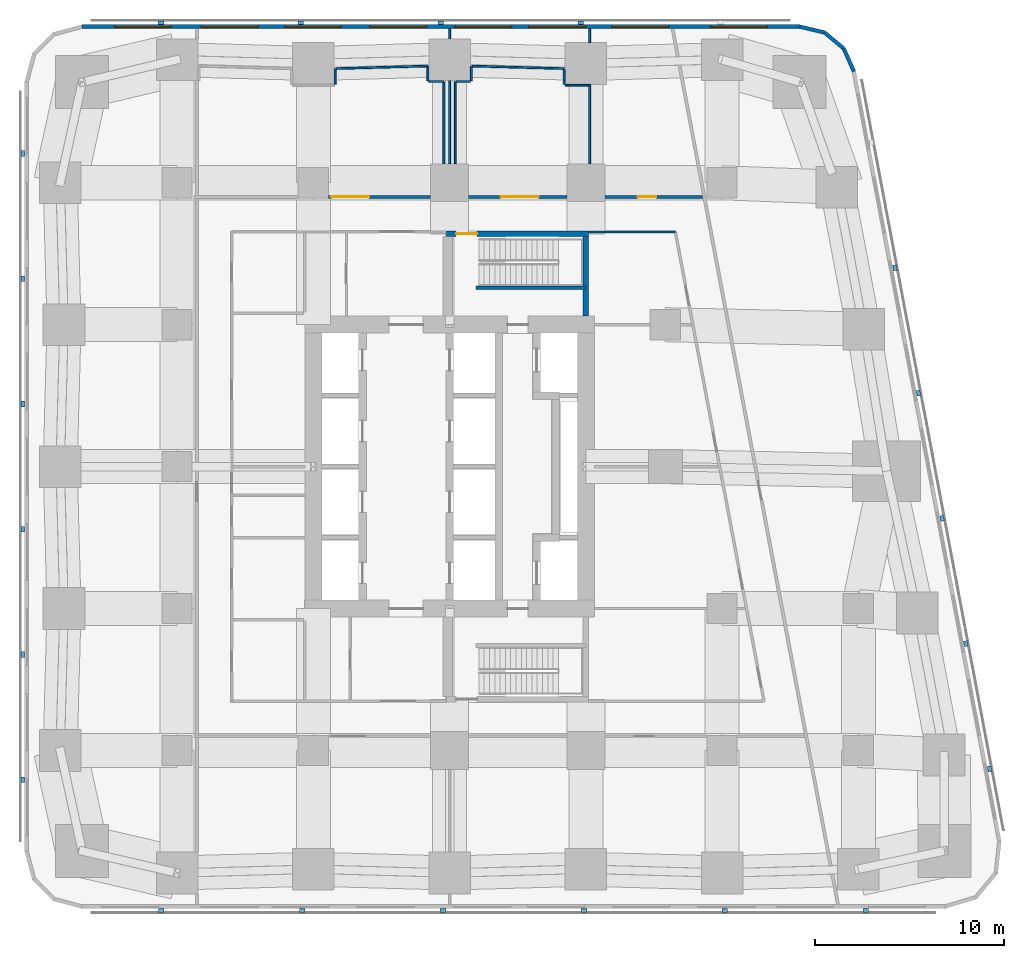
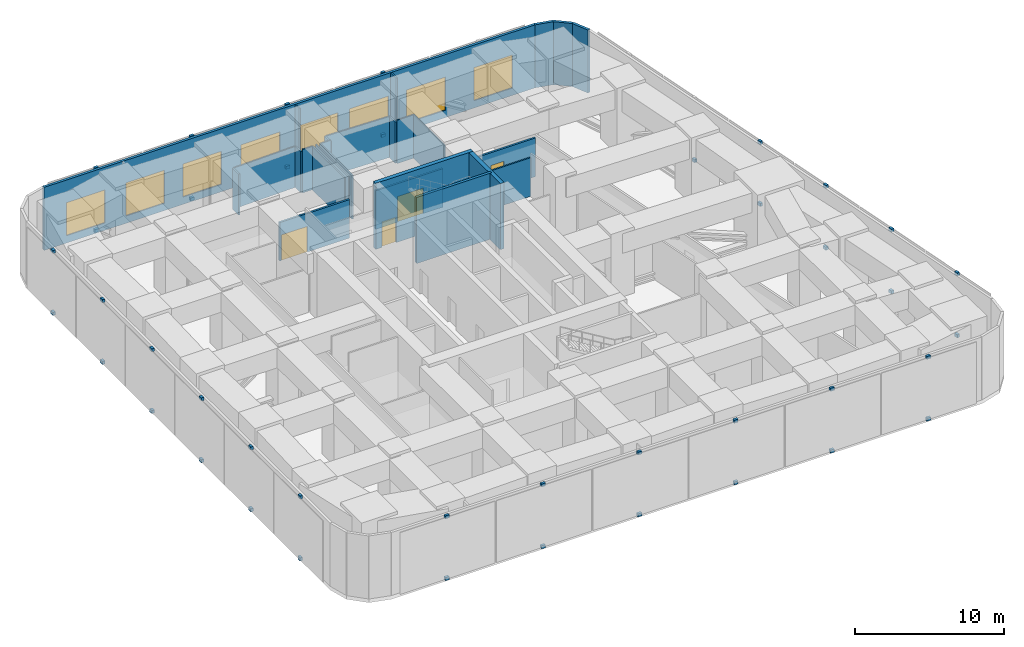
# One storey, part 7 of 10: 41 discrete accessories, 26 walls, 8 windows, 4 doors, 12 openings.
"""IFC4 building model written with IfcOpenShell, lengths in metres."""

from ifc_helpers import new_model, si_unit, direction, frame, frame_2d, origin, origin_2d, place, context, subcontext, project, spatial, rectangle, extrude, material, layer, layer_set, type_object, element, fill, save


model = new_model("IFC4")

# Units and contexts
model_context = context("Model", 3, precision=1e-05, world=origin(), true_north=direction((0.0, 1.0)))
body_context = subcontext(model_context, "Body", "Model", "MODEL_VIEW")
ifc_project = project(units=[si_unit("LENGTHUNIT", "METRE"), si_unit("AREAUNIT", "SQUARE_METRE"), si_unit("VOLUMEUNIT", "CUBIC_METRE"), si_unit("PLANEANGLEUNIT", "RADIAN"), si_unit("MASSUNIT", "GRAM", prefix="KILO")], contexts=[model_context])

# Site, building, storey
site_placement = place(None, origin())
site = spatial("IfcSite", under=ifc_project, at=site_placement, CompositionType="ELEMENT")
building_placement = place(site_placement, origin())
building = spatial("IfcBuilding", under=site, at=building_placement, Name="Sheger Commons Tower", CompositionType="ELEMENT")
storey_placement = place(building_placement, frame((0.0, 0.0, 130.39990234375)))
storey = spatial("IfcBuildingStorey", under=building, at=storey_placement, Name="L33", CompositionType="ELEMENT", Elevation=130.39990234375)

# Wall, opening, door
ifc_material_1 = material(Name="Hollow concrete block masonry, skimmed both sides", Category="masonry")
ifc_layer_1 = layer(ifc_material_1, 0.14990234375)
ifc_layer_set_1 = layer_set([ifc_layer_1], Name="CORRIDOR WALL 150")
wall_type_1 = type_object("IfcWallType", Name="CORRIDOR WALL 150", PredefinedType="SOLIDWALL", material=ifc_layer_set_1)
wall_1_placement = place(storey_placement, frame((15.200927734375, 36.75, 0.0), z_axis=(0.0, 0.0, 1.0), x_axis=(1.0, 0.0, 0.0)))
wall_1 = element("IfcWall", 1, at=wall_1_placement, inside=storey, type_object=wall_type_1, Name="Corridor wall L33", PredefinedType="SOLIDWALL", context=body_context, shape_type="SweptSolid", body=[
    extrude(rectangle(XDim=5.398193359375, YDim=0.14990234375, at=frame_2d((2.69921875, 0.0))), origin(), (0.0, 0.0, 1.0), 3.150146484375),
])
opening_1_placement = place(wall_1_placement, frame((0.14990234375, 0.0, 0.0)))
opening_1 = element("IfcOpeningElement", 2, at=opening_1_placement, cuts=wall_1, Name="Opening D8", PredefinedType="OPENING", context=body_context, shape_type="SweptSolid", body=[
    extrude(rectangle(XDim=2.0, YDim=2.10009765625, at=frame_2d((1.0, 1.050048828125))), frame((0.0, 0.0849609375, 0.0), z_axis=(0.0, -1.0, 0.0), x_axis=(1.0, 0.0, 0.0)), (0.0, 0.0, 1.0), 0.169921875),
])
ifc_material_2 = material(Name="Steel door set, fire rated", Category="steel")
door_type_1 = type_object("IfcDoorType", Name="COMMUNITY HALL DOUBLE DOOR 2000x2100", OperationType="DOUBLE_DOOR_SINGLE_SWING", PredefinedType="DOOR", material=ifc_material_2)
door_1_placement = place(opening_1_placement, origin())
door_1 = element("IfcDoor", 3, at=door_1_placement, inside=storey, type_object=door_type_1, Name="Community hall door", OperationType="DOUBLE_DOOR_SINGLE_SWING", OverallHeight=2.10009765625, OverallWidth=2.0, PredefinedType="DOOR", context=body_context, shape_type="SweptSolid", body=[
    extrude(rectangle(XDim=2.0, YDim=2.10009765625, at=frame_2d((1.0, 1.050048828125))), frame((0.0, 0.02490234375, 0.0), z_axis=(0.0, -1.0, 0.0), x_axis=(1.0, 0.0, 0.0)), (0.0, 0.0, 1.0), 0.050048828125),
])
fill(opening_1, door_1)

wall_2_placement = place(storey_placement, frame((22.60107421875, 36.75, 0.0), z_axis=(0.0, 0.0, 1.0), x_axis=(1.0, 0.0, 0.0)))
wall_2 = element("IfcWall", 4, at=wall_2_placement, inside=storey, type_object=wall_type_1, Name="Corridor wall L33", PredefinedType="SOLIDWALL", context=body_context, shape_type="SweptSolid", body=[
    extrude(rectangle(XDim=5.197998046875, YDim=0.14990234375, at=frame_2d((2.59912109375, 0.0))), origin(), (0.0, 0.0, 1.0), 3.150146484375),
])
opening_2_placement = place(wall_2_placement, frame((1.698974609375, 0.0, 0.0)))
opening_2 = element("IfcOpeningElement", 5, at=opening_2_placement, cuts=wall_2, Name="Opening D8", PredefinedType="OPENING", context=body_context, shape_type="SweptSolid", body=[
    extrude(rectangle(XDim=2.0, YDim=2.10009765625, at=frame_2d((1.0, 1.050048828125))), frame((0.0, 0.0849609375, 0.0), z_axis=(0.0, -1.0, 0.0), x_axis=(1.0, 0.0, 0.0)), (0.0, 0.0, 1.0), 0.169921875),
])
door_2_placement = place(opening_2_placement, origin())
door_2 = element("IfcDoor", 6, at=door_2_placement, inside=storey, type_object=door_type_1, Name="Library and study room door", OperationType="DOUBLE_DOOR_SINGLE_SWING", OverallHeight=2.10009765625, OverallWidth=2.0, PredefinedType="DOOR", context=body_context, shape_type="SweptSolid", body=[
    extrude(rectangle(XDim=2.0, YDim=2.10009765625, at=frame_2d((1.0, 1.050048828125))), frame((0.0, 0.02490234375, 0.0), z_axis=(0.0, -1.0, 0.0), x_axis=(1.0, 0.0, 0.0)), (0.0, 0.0, 1.0), 0.050048828125),
])
fill(opening_2, door_2)

wall_3_placement = place(storey_placement, frame((29.801025390625, 36.75, 0.0), z_axis=(0.0, 0.0, 1.0), x_axis=(1.0, 0.0, 0.0)))
wall_3 = element("IfcWall", 7, at=wall_3_placement, inside=storey, type_object=wall_type_1, Name="Corridor wall L33", PredefinedType="SOLIDWALL", context=body_context, shape_type="SweptSolid", body=[
    extrude(rectangle(XDim=5.171875, YDim=0.14990234375, at=frame_2d((2.5859375, 0.0))), origin(), (0.0, 0.0, 1.0), 3.150146484375),
])
opening_3_placement = place(wall_3_placement, frame((1.72998046875, 0.0, 0.0)))
opening_3 = element("IfcOpeningElement", 8, at=opening_3_placement, cuts=wall_3, Name="Opening D4", PredefinedType="OPENING", context=body_context, shape_type="SweptSolid", body=[
    extrude(rectangle(XDim=1.0, YDim=2.10009765625, at=frame_2d((0.5, 1.050048828125))), frame((0.0, 0.0849609375, 0.0), z_axis=(0.0, -1.0, 0.0), x_axis=(1.0, 0.0, 0.0)), (0.0, 0.0, 1.0), 0.169921875),
])
ifc_material_3 = material(Name="Steel door set, fire rated", Category="steel")
door_type_2 = type_object("IfcDoorType", Name="SERVICE DOOR 1000x2100", OperationType="NOTDEFINED", PredefinedType="DOOR", material=ifc_material_3)
door_3_placement = place(opening_3_placement, origin())
door_3 = element("IfcDoor", 9, at=door_3_placement, inside=storey, type_object=door_type_2, Name="Refuge area door", OperationType="SINGLE_SWING_LEFT", OverallHeight=2.10009765625, OverallWidth=1.0, PredefinedType="DOOR", context=body_context, shape_type="SweptSolid", body=[
    extrude(rectangle(XDim=1.0, YDim=2.10009765625, at=frame_2d((0.5, 1.050048828125))), frame((0.0, 0.02490234375, 0.0), z_axis=(0.0, -1.0, 0.0), x_axis=(1.0, 0.0, 0.0)), (0.0, 0.0, 1.0), 0.050048828125),
])
fill(opening_3, door_3)

# Walls
ifc_material_4 = material(Name="Rendered concrete block masonry, dark grey", Category="masonry")
ifc_layer_2 = layer(ifc_material_4, 0.199951171875)
ifc_layer_set_2 = layer_set([ifc_layer_2], Name="FACADE WALL 200")
wall_type_2 = type_object("IfcWallType", Name="FACADE WALL 200", PredefinedType="SOLIDWALL", material=ifc_layer_set_2)
wall_4_placement = place(storey_placement, frame((42.969970703125, 43.376953125, 0.0), z_axis=(0.0, 0.0, 1.0), x_axis=(-0.406002956633, 0.913871762998, 0.0)))
element("IfcWall", 10, at=wall_4_placement, inside=storey, type_object=wall_type_2, Name="Facade wall L33", PredefinedType="SOLIDWALL", context=body_context, shape_type="SweptSolid", body=[
    extrude(rectangle(XDim=1.33740234375, YDim=0.199951171875, at=frame_2d((0.668701171875, 0.0))), origin(), (0.0, 0.0, 1.0), 5.150146484375),
])
wall_5_placement = place(storey_placement, frame((42.427001953125, 44.59912109375, 0.0), z_axis=(0.0, 0.0, 1.0), x_axis=(-0.770091412544, 0.637933551655, 0.0)))
element("IfcWall", 11, at=wall_5_placement, inside=storey, type_object=wall_type_2, Name="Facade wall L33", PredefinedType="SOLIDWALL", context=body_context, shape_type="SweptSolid", body=[
    extrude(rectangle(XDim=1.324462890625, YDim=0.199951171875, at=frame_2d((0.662109375, 0.0))), origin(), (0.0, 0.0, 1.0), 5.150146484375),
])
wall_6_placement = place(storey_placement, frame((41.406982421875, 45.444091796875, 0.0), z_axis=(0.0, 0.0, 1.0), x_axis=(-0.973453091607, 0.228886606077, 0.0)))
element("IfcWall", 12, at=wall_6_placement, inside=storey, type_object=wall_type_2, Name="Facade wall L33", PredefinedType="SOLIDWALL", context=body_context, shape_type="SweptSolid", body=[
    extrude(rectangle(XDim=1.33642578125, YDim=0.199951171875, at=frame_2d((0.668212890625, 0.0))), origin(), (0.0, 0.0, 1.0), 5.150146484375),
])

# Wall, openings, windows
wall_7_placement = place(storey_placement, frame((40.10595703125, 45.75, 0.0), z_axis=(0.0, 0.0, 1.0), x_axis=(-1.0, 0.0, 0.0)))
wall_7 = element("IfcWall", 13, at=wall_7_placement, inside=storey, type_object=wall_type_2, Name="Facade wall L33", PredefinedType="SOLIDWALL", context=body_context, shape_type="SweptSolid", body=[
    extrude(rectangle(XDim=37.94287109375, YDim=0.199951171875, at=frame_2d((18.971435546875, 0.0))), origin(), (0.0, 0.0, 1.0), 5.150146484375),
])
opening_4_placement = place(wall_7_placement, frame((1.721923828125, 0.0, 0.60009765625)))
opening_4 = element("IfcOpeningElement", 14, at=opening_4_placement, cuts=wall_7, Name="Opening LV2", PredefinedType="OPENING", context=body_context, shape_type="SweptSolid", body=[
    extrude(rectangle(XDim=3.0, YDim=2.699951171875, at=frame_2d((1.5, 1.35009765625))), frame((0.0, 0.10986328125, 0.0), z_axis=(0.0, -1.0, 0.0), x_axis=(1.0, 0.0, 0.0)), (0.0, 0.0, 1.0), 0.219970703125),
])
opening_5_placement = place(wall_7_placement, frame((6.922119140625, 0.0, 0.60009765625)))
opening_5 = element("IfcOpeningElement", 15, at=opening_5_placement, cuts=wall_7, Name="Opening LV2", PredefinedType="OPENING", context=body_context, shape_type="SweptSolid", body=[
    extrude(rectangle(XDim=3.0, YDim=2.699951171875, at=frame_2d((1.5, 1.35009765625))), frame((0.0, 0.10986328125, 0.0), z_axis=(0.0, -1.0, 0.0), x_axis=(1.0, 0.0, 0.0)), (0.0, 0.0, 1.0), 0.219970703125),
])
opening_6_placement = place(wall_7_placement, frame((11.322021484375, 0.0, 0.60009765625)))
opening_6 = element("IfcOpeningElement", 16, at=opening_6_placement, cuts=wall_7, Name="Opening LV2", PredefinedType="OPENING", context=body_context, shape_type="SweptSolid", body=[
    extrude(rectangle(XDim=3.0, YDim=2.699951171875, at=frame_2d((1.5, 1.35009765625))), frame((0.0, 0.10986328125, 0.0), z_axis=(0.0, -1.0, 0.0), x_axis=(1.0, 0.0, 0.0)), (0.0, 0.0, 1.0), 0.219970703125),
])
opening_7_placement = place(wall_7_placement, frame((15.221923828125, 0.0, 0.60009765625)))
opening_7 = element("IfcOpeningElement", 17, at=opening_7_placement, cuts=wall_7, Name="Opening LV2", PredefinedType="OPENING", context=body_context, shape_type="SweptSolid", body=[
    extrude(rectangle(XDim=3.0, YDim=2.699951171875, at=frame_2d((1.5, 1.35009765625))), frame((0.0, 0.10986328125, 0.0), z_axis=(0.0, -1.0, 0.0), x_axis=(1.0, 0.0, 0.0)), (0.0, 0.0, 1.0), 0.219970703125),
])
opening_8_placement = place(wall_7_placement, frame((19.721923828125, 0.0, 0.60009765625)))
opening_8 = element("IfcOpeningElement", 18, at=opening_8_placement, cuts=wall_7, Name="Opening LV2", PredefinedType="OPENING", context=body_context, shape_type="SweptSolid", body=[
    extrude(rectangle(XDim=3.0, YDim=2.699951171875, at=frame_2d((1.5, 1.35009765625))), frame((0.0, 0.10986328125, 0.0), z_axis=(0.0, -1.0, 0.0), x_axis=(1.0, 0.0, 0.0)), (0.0, 0.0, 1.0), 0.219970703125),
])
opening_9_placement = place(wall_7_placement, frame((24.221923828125, 0.0, 0.60009765625)))
opening_9 = element("IfcOpeningElement", 19, at=opening_9_placement, cuts=wall_7, Name="Opening LV2", PredefinedType="OPENING", context=body_context, shape_type="SweptSolid", body=[
    extrude(rectangle(XDim=3.0, YDim=2.699951171875, at=frame_2d((1.5, 1.35009765625))), frame((0.0, 0.10986328125, 0.0), z_axis=(0.0, -1.0, 0.0), x_axis=(1.0, 0.0, 0.0)), (0.0, 0.0, 1.0), 0.219970703125),
])
opening_10_placement = place(wall_7_placement, frame((28.6220703125, 0.0, 0.60009765625)))
opening_10 = element("IfcOpeningElement", 20, at=opening_10_placement, cuts=wall_7, Name="Opening LV2", PredefinedType="OPENING", context=body_context, shape_type="SweptSolid", body=[
    extrude(rectangle(XDim=3.0, YDim=2.699951171875, at=frame_2d((1.5, 1.35009765625))), frame((0.0, 0.10986328125, 0.0), z_axis=(0.0, -1.0, 0.0), x_axis=(1.0, 0.0, 0.0)), (0.0, 0.0, 1.0), 0.219970703125),
])
opening_11_placement = place(wall_7_placement, frame((33.221923828125, 0.0, 0.60009765625)))
opening_11 = element("IfcOpeningElement", 21, at=opening_11_placement, cuts=wall_7, Name="Opening LV2", PredefinedType="OPENING", context=body_context, shape_type="SweptSolid", body=[
    extrude(rectangle(XDim=3.0, YDim=2.699951171875, at=frame_2d((1.5, 1.35009765625))), frame((0.0, 0.10986328125, 0.0), z_axis=(0.0, -1.0, 0.0), x_axis=(1.0, 0.0, 0.0)), (0.0, 0.0, 1.0), 0.219970703125),
])
ifc_material_5 = material(Name="Black aluminium louvre", Category="aluminium")
window_type = type_object("IfcWindowType", Name="REFUGE FLOOR LOUVRE LV2 3000x2700", PartitioningType="SINGLE_PANEL", PredefinedType="USERDEFINED", material=ifc_material_5)
window_1_placement = place(opening_4_placement, origin())
window_1 = element("IfcWindow", 22, at=window_1_placement, inside=storey, type_object=window_type, Name="Refuge Floor Louvre Lv2 3000X2700", ObjectType="LOUVRE", OverallHeight=2.699951171875, OverallWidth=3.0, PartitioningType="SINGLE_PANEL", PredefinedType="USERDEFINED", context=body_context, shape_type="SweptSolid", body=[
    extrude(rectangle(XDim=3.0, YDim=2.699951171875, at=frame_2d((1.5, 1.35009765625))), frame((0.0, 0.030029296875, 0.0), z_axis=(0.0, -1.0, 0.0), x_axis=(1.0, 0.0, 0.0)), (0.0, 0.0, 1.0), 0.06005859375),
])
fill(opening_4, window_1)
window_2_placement = place(opening_5_placement, origin())
window_2 = element("IfcWindow", 23, at=window_2_placement, inside=storey, type_object=window_type, Name="Refuge Floor Louvre Lv2 3000X2700", ObjectType="LOUVRE", OverallHeight=2.699951171875, OverallWidth=3.0, PartitioningType="SINGLE_PANEL", PredefinedType="USERDEFINED", context=body_context, shape_type="SweptSolid", body=[
    extrude(rectangle(XDim=3.0, YDim=2.699951171875, at=frame_2d((1.5, 1.35009765625))), frame((0.0, 0.030029296875, 0.0), z_axis=(0.0, -1.0, 0.0), x_axis=(1.0, 0.0, 0.0)), (0.0, 0.0, 1.0), 0.06005859375),
])
fill(opening_5, window_2)
window_3_placement = place(opening_6_placement, origin())
window_3 = element("IfcWindow", 24, at=window_3_placement, inside=storey, type_object=window_type, Name="Refuge Floor Louvre Lv2 3000X2700", ObjectType="LOUVRE", OverallHeight=2.699951171875, OverallWidth=3.0, PartitioningType="SINGLE_PANEL", PredefinedType="USERDEFINED", context=body_context, shape_type="SweptSolid", body=[
    extrude(rectangle(XDim=3.0, YDim=2.699951171875, at=frame_2d((1.5, 1.35009765625))), frame((0.0, 0.030029296875, 0.0), z_axis=(0.0, -1.0, 0.0), x_axis=(1.0, 0.0, 0.0)), (0.0, 0.0, 1.0), 0.06005859375),
])
fill(opening_6, window_3)
window_4_placement = place(opening_7_placement, origin())
window_4 = element("IfcWindow", 25, at=window_4_placement, inside=storey, type_object=window_type, Name="Refuge Floor Louvre Lv2 3000X2700", ObjectType="LOUVRE", OverallHeight=2.699951171875, OverallWidth=3.0, PartitioningType="SINGLE_PANEL", PredefinedType="USERDEFINED", context=body_context, shape_type="SweptSolid", body=[
    extrude(rectangle(XDim=3.0, YDim=2.699951171875, at=frame_2d((1.5, 1.35009765625))), frame((0.0, 0.030029296875, 0.0), z_axis=(0.0, -1.0, 0.0), x_axis=(1.0, 0.0, 0.0)), (0.0, 0.0, 1.0), 0.06005859375),
])
fill(opening_7, window_4)
window_5_placement = place(opening_8_placement, origin())
window_5 = element("IfcWindow", 26, at=window_5_placement, inside=storey, type_object=window_type, Name="Refuge Floor Louvre Lv2 3000X2700", ObjectType="LOUVRE", OverallHeight=2.699951171875, OverallWidth=3.0, PartitioningType="SINGLE_PANEL", PredefinedType="USERDEFINED", context=body_context, shape_type="SweptSolid", body=[
    extrude(rectangle(XDim=3.0, YDim=2.699951171875, at=frame_2d((1.5, 1.35009765625))), frame((0.0, 0.030029296875, 0.0), z_axis=(0.0, -1.0, 0.0), x_axis=(1.0, 0.0, 0.0)), (0.0, 0.0, 1.0), 0.06005859375),
])
fill(opening_8, window_5)
window_6_placement = place(opening_9_placement, origin())
window_6 = element("IfcWindow", 27, at=window_6_placement, inside=storey, type_object=window_type, Name="Refuge Floor Louvre Lv2 3000X2700", ObjectType="LOUVRE", OverallHeight=2.699951171875, OverallWidth=3.0, PartitioningType="SINGLE_PANEL", PredefinedType="USERDEFINED", context=body_context, shape_type="SweptSolid", body=[
    extrude(rectangle(XDim=3.0, YDim=2.699951171875, at=frame_2d((1.5, 1.35009765625))), frame((0.0, 0.030029296875, 0.0), z_axis=(0.0, -1.0, 0.0), x_axis=(1.0, 0.0, 0.0)), (0.0, 0.0, 1.0), 0.06005859375),
])
fill(opening_9, window_6)
window_7_placement = place(opening_10_placement, origin())
window_7 = element("IfcWindow", 28, at=window_7_placement, inside=storey, type_object=window_type, Name="Refuge Floor Louvre Lv2 3000X2700", ObjectType="LOUVRE", OverallHeight=2.699951171875, OverallWidth=3.0, PartitioningType="SINGLE_PANEL", PredefinedType="USERDEFINED", context=body_context, shape_type="SweptSolid", body=[
    extrude(rectangle(XDim=3.0, YDim=2.699951171875, at=frame_2d((1.5, 1.35009765625))), frame((0.0, 0.030029296875, 0.0), z_axis=(0.0, -1.0, 0.0), x_axis=(1.0, 0.0, 0.0)), (0.0, 0.0, 1.0), 0.06005859375),
])
fill(opening_10, window_7)
window_8_placement = place(opening_11_placement, origin())
window_8 = element("IfcWindow", 29, at=window_8_placement, inside=storey, type_object=window_type, Name="Refuge Floor Louvre Lv2 3000X2700", ObjectType="LOUVRE", OverallHeight=2.699951171875, OverallWidth=3.0, PartitioningType="SINGLE_PANEL", PredefinedType="USERDEFINED", context=body_context, shape_type="SweptSolid", body=[
    extrude(rectangle(XDim=3.0, YDim=2.699951171875, at=frame_2d((1.5, 1.35009765625))), frame((0.0, 0.030029296875, 0.0), z_axis=(0.0, -1.0, 0.0), x_axis=(1.0, 0.0, 0.0)), (0.0, 0.0, 1.0), 0.06005859375),
])
fill(opening_11, window_8)

# Walls
ifc_material_6 = material(Name="Gypsum board on steel studs", Category="steel")
ifc_layer_3 = layer(ifc_material_6, 0.10009765625)
ifc_layer_set_3 = layer_set([ifc_layer_3], Name="PARTITION 100")
wall_type_3 = type_object("IfcWallType", Name="PARTITION 100", PredefinedType="PARTITIONING", material=ifc_layer_set_3)
wall_8_placement = place(storey_placement, frame((21.60009765625, 38.5009765625, 0.0), z_axis=(0.0, 0.0, 1.0), x_axis=(0.0, 1.0, 0.0)))
element("IfcWall", 30, at=wall_8_placement, inside=storey, type_object=wall_type_3, Name="Partition L33", PredefinedType="PARTITIONING", context=body_context, shape_type="SweptSolid", body=[
    extrude(rectangle(XDim=4.39794921875, YDim=0.10009765625, at=frame_2d((2.198974609375, 0.0))), origin(), (0.0, 0.0, 1.0), 3.550048828125),
])
wall_9_placement = place(storey_placement, frame((21.60009765625, 45.10107421875, 0.0), z_axis=(0.0, 0.0, 1.0), x_axis=(0.0, 1.0, 0.0)))
element("IfcWall", 31, at=wall_9_placement, inside=storey, type_object=wall_type_3, Name="Partition L33", PredefinedType="PARTITIONING", context=body_context, shape_type="SweptSolid", body=[
    extrude(rectangle(XDim=0.548828125, YDim=0.10009765625, at=frame_2d((0.2744140625, 0.0))), origin(), (0.0, 0.0, 1.0), 5.150146484375),
])
wall_10_placement = place(storey_placement, frame((29.0, 38.5009765625, 0.0), z_axis=(0.0, 0.0, 1.0), x_axis=(0.0, 1.0, 0.0)))
element("IfcWall", 32, at=wall_10_placement, inside=storey, type_object=wall_type_3, Name="Partition L33", PredefinedType="PARTITIONING", context=body_context, shape_type="SweptSolid", body=[
    extrude(rectangle(XDim=4.197998046875, YDim=0.10009765625, at=frame_2d((2.09912109375, 0.0))), origin(), (0.0, 0.0, 1.0), 3.550048828125),
])
wall_11_placement = place(storey_placement, frame((29.0, 44.90087890625, 0.0), z_axis=(0.0, 0.0, 1.0), x_axis=(0.0, 1.0, 0.0)))
element("IfcWall", 33, at=wall_11_placement, inside=storey, type_object=wall_type_3, Name="Partition L33", PredefinedType="PARTITIONING", context=body_context, shape_type="SweptSolid", body=[
    extrude(rectangle(XDim=0.7490234375, YDim=0.10009765625, at=frame_2d((0.37451171875, 0.0))), origin(), (0.0, 0.0, 1.0), 5.150146484375),
])
wall_12_placement = place(storey_placement, frame((15.550048828125, 42.699951171875, 0.0), z_axis=(0.0, 0.0, 1.0), x_axis=(0.0, 1.0, 0.0)))
element("IfcWall", 34, at=wall_12_placement, inside=storey, type_object=wall_type_3, Name="Partition L33", PredefinedType="PARTITIONING", context=body_context, shape_type="SweptSolid", body=[
    extrude(rectangle(XDim=0.83203125, YDim=0.10009765625, at=frame_2d((0.416015625, 0.0))), origin(), (0.0, 0.0, 1.0), 3.35009765625),
])
wall_13_placement = place(storey_placement, frame((15.60009765625, 43.532958984375, 0.0), z_axis=(0.0, 0.0, 1.0), x_axis=(0.999612750558, 0.027827125651, 0.0)))
element("IfcWall", 35, at=wall_13_placement, inside=storey, type_object=wall_type_3, Name="Partition L33", PredefinedType="PARTITIONING", context=body_context, shape_type="SweptSolid", body=[
    extrude(rectangle(XDim=4.851806640625, YDim=0.10009765625, at=frame_2d((2.42578125, 0.0))), origin(), (0.0, 0.0, 1.0), 3.35009765625),
])
wall_14_placement = place(storey_placement, frame((20.449951171875, 43.616943359375, 0.0), z_axis=(0.0, 0.0, 1.0), x_axis=(0.0, -1.0, 0.0)))
element("IfcWall", 36, at=wall_14_placement, inside=storey, type_object=wall_type_3, Name="Partition L33", PredefinedType="PARTITIONING", context=body_context, shape_type="SweptSolid", body=[
    extrude(rectangle(XDim=0.717041015625, YDim=0.10009765625, at=frame_2d((0.3583984375, 0.0))), origin(), (0.0, 0.0, 1.0), 3.35009765625),
])
wall_15_placement = place(storey_placement, frame((20.5, 42.85009765625, 0.0), z_axis=(0.0, 0.0, 1.0), x_axis=(1.0, 0.0, 0.0)))
element("IfcWall", 37, at=wall_15_placement, inside=storey, type_object=wall_type_3, Name="Partition L33", PredefinedType="PARTITIONING", context=body_context, shape_type="SweptSolid", body=[
    extrude(rectangle(XDim=0.800048828125, YDim=0.10009765625, at=frame_2d((0.39990234375, 0.0))), origin(), (0.0, 0.0, 1.0), 3.550048828125),
])
wall_16_placement = place(storey_placement, frame((21.300048828125, 42.800048828125, 0.0), z_axis=(0.0, 0.0, 1.0), x_axis=(0.0, -1.0, 0.0)))
element("IfcWall", 38, at=wall_16_placement, inside=storey, type_object=wall_type_3, Name="Partition L33", PredefinedType="PARTITIONING", context=body_context, shape_type="SweptSolid", body=[
    extrude(rectangle(XDim=4.299072265625, YDim=0.10009765625, at=frame_2d((2.1494140625, 0.0))), origin(), (0.0, 0.0, 1.0), 3.550048828125),
])
wall_17_placement = place(storey_placement, frame((21.89990234375, 38.5009765625, 0.0), z_axis=(0.0, 0.0, 1.0), x_axis=(0.0, 1.0, 0.0)))
element("IfcWall", 39, at=wall_17_placement, inside=storey, type_object=wall_type_3, Name="Partition L33", PredefinedType="PARTITIONING", context=body_context, shape_type="SweptSolid", body=[
    extrude(rectangle(XDim=4.34912109375, YDim=0.10009765625, at=frame_2d((2.174560546875, 0.0))), origin(), (0.0, 0.0, 1.0), 3.550048828125),
])
wall_18_placement = place(storey_placement, frame((21.949951171875, 42.85009765625, 0.0), z_axis=(0.0, 0.0, 1.0), x_axis=(1.0, 0.0, 0.0)))
element("IfcWall", 40, at=wall_18_placement, inside=storey, type_object=wall_type_3, Name="Partition L33", PredefinedType="PARTITIONING", context=body_context, shape_type="SweptSolid", body=[
    extrude(rectangle(XDim=0.75, YDim=0.10009765625, at=frame_2d((0.375, 0.0))), origin(), (0.0, 0.0, 1.0), 3.550048828125),
])
wall_19_placement = place(storey_placement, frame((22.75, 42.89990234375, 0.0), z_axis=(0.0, 0.0, 1.0), x_axis=(0.0, 1.0, 0.0)))
element("IfcWall", 41, at=wall_19_placement, inside=storey, type_object=wall_type_3, Name="Partition L33", PredefinedType="PARTITIONING", context=body_context, shape_type="SweptSolid", body=[
    extrude(rectangle(XDim=0.76806640625, YDim=0.10009765625, at=frame_2d((0.384033203125, 0.0))), origin(), (0.0, 0.0, 1.0), 3.35009765625),
])
wall_20_placement = place(storey_placement, frame((22.801025390625, 43.6669921875, 0.0), z_axis=(0.0, 0.0, 1.0), x_axis=(0.999612594649, -0.027832725686, 0.0)))
element("IfcWall", 42, at=wall_20_placement, inside=storey, type_object=wall_type_3, Name="Partition L33", PredefinedType="PARTITIONING", context=body_context, shape_type="SweptSolid", body=[
    extrude(rectangle(XDim=4.850830078125, YDim=0.10009765625, at=frame_2d((2.42529296875, 0.0))), origin(), (0.0, 0.0, 1.0), 3.35009765625),
])
wall_21_placement = place(storey_placement, frame((27.64990234375, 43.48193359375, 0.0), z_axis=(0.0, 0.0, 1.0), x_axis=(0.0, -1.0, 0.0)))
element("IfcWall", 43, at=wall_21_placement, inside=storey, type_object=wall_type_3, Name="Partition L33", PredefinedType="PARTITIONING", context=body_context, shape_type="SweptSolid", body=[
    extrude(rectangle(XDim=0.781982421875, YDim=0.10009765625, at=frame_2d((0.39111328125, 0.0))), origin(), (0.0, 0.0, 1.0), 3.35009765625),
])
wall_22_placement = place(storey_placement, frame((27.699951171875, 42.64990234375, 0.0), z_axis=(0.0, 0.0, 1.0), x_axis=(1.0, 0.0, 0.0)))
element("IfcWall", 44, at=wall_22_placement, inside=storey, type_object=wall_type_3, Name="Partition L33", PredefinedType="PARTITIONING", context=body_context, shape_type="SweptSolid", body=[
    extrude(rectangle(XDim=1.25, YDim=0.10009765625, at=frame_2d((0.625, 0.0))), origin(), (0.0, 0.0, 1.0), 3.550048828125),
])
ifc_material_7 = material(Name="Gypsum board on steel studs, two layers each side, fire rated", Category="steel")
ifc_layer_4 = layer(ifc_material_7, 0.125)
ifc_layer_set_4 = layer_set([ifc_layer_4], Name="SERVICE WALL 125")
wall_type_4 = type_object("IfcWallType", Name="SERVICE WALL 125", PredefinedType="PARTITIONING", material=ifc_layer_set_4)
wall_23_placement = place(storey_placement, frame((28.949951171875, 34.89990234375, 0.0), z_axis=(0.0, 0.0, 1.0), x_axis=(1.0, 0.0, 0.0)))
element("IfcWall", 45, at=wall_23_placement, inside=storey, type_object=wall_type_4, Name="Service room wall L33", PredefinedType="PARTITIONING", context=body_context, shape_type="SweptSolid", body=[
    extrude(rectangle(XDim=4.588134765625, YDim=0.125, at=frame_2d((2.2939453125, 0.0))), origin(), (0.0, 0.0, 1.0), 3.150146484375),
])

# Wall, opening, door
ifc_material_8 = material(Name="Concrete C50/60", Category="concrete")
ifc_layer_5 = layer(ifc_material_8, 0.300048828125)
ifc_layer_set_5 = layer_set([ifc_layer_5], Name="STAIR CORE WALL 300")
wall_type_5 = type_object("IfcWallType", Name="STAIR CORE WALL 300", PredefinedType="SHEAR", material=ifc_layer_set_5)
wall_24_placement = place(storey_placement, frame((21.449951171875, 34.800048828125, 0.0), z_axis=(0.0, 0.0, 1.0), x_axis=(1.0, 0.0, 0.0)))
wall_24 = element("IfcWall", 46, at=wall_24_placement, inside=storey, type_object=wall_type_5, Name="STW-L33-S2N", PredefinedType="SHEAR", context=body_context, shape_type="SweptSolid", body=[
    extrude(rectangle(XDim=7.5, YDim=0.300048828125, at=frame_2d((3.75, 0.0))), origin(), (0.0, 0.0, 1.0), 5.400146484375),
])
opening_12_placement = place(wall_24_placement, frame((0.5, 0.0, 0.0)))
opening_12 = element("IfcOpeningElement", 47, at=opening_12_placement, cuts=wall_24, Name="Opening D5", PredefinedType="OPENING", context=body_context, shape_type="SweptSolid", body=[
    extrude(rectangle(XDim=1.10009765625, YDim=2.10009765625, at=frame_2d((0.550048828125, 1.050048828125))), frame((0.0, 0.159912109375, 0.0), z_axis=(0.0, -1.0, 0.0), x_axis=(1.0, 0.0, 0.0)), (0.0, 0.0, 1.0), 0.320068359375),
])
ifc_material_9 = material(Name="Steel door set, fire rated", Category="steel")
door_type_3 = type_object("IfcDoorType", Name="STAIR DOOR 1100x2100", OperationType="NOTDEFINED", PredefinedType="DOOR", material=ifc_material_9)
door_4_placement = place(opening_12_placement, origin())
door_4 = element("IfcDoor", 48, at=door_4_placement, inside=storey, type_object=door_type_3, Name="Stair S2 door", OperationType="SINGLE_SWING_RIGHT", OverallHeight=2.10009765625, OverallWidth=1.10009765625, PredefinedType="DOOR", context=body_context, shape_type="SweptSolid", body=[
    extrude(rectangle(XDim=1.10009765625, YDim=2.10009765625, at=frame_2d((0.550048828125, 1.050048828125))), frame((0.0, 0.02490234375, 0.0), z_axis=(0.0, -1.0, 0.0), x_axis=(1.0, 0.0, 0.0)), (0.0, 0.0, 1.0), 0.050048828125),
])
fill(opening_12, door_4)

# Walls
wall_25_placement = place(storey_placement, frame((28.800048828125, 30.449951171875, 0.0), z_axis=(0.0, 0.0, 1.0), x_axis=(0.0, 1.0, 0.0)))
element("IfcWall", 49, at=wall_25_placement, inside=storey, type_object=wall_type_5, Name="STW-L33-S2E", PredefinedType="SHEAR", context=body_context, shape_type="SweptSolid", body=[
    extrude(rectangle(XDim=4.199951171875, YDim=0.300048828125, at=frame_2d((2.10009765625, 0.0))), origin(), (0.0, 0.0, 1.0), 5.400146484375),
])
ifc_material_10 = material(Name="Concrete C50/60", Category="concrete")
ifc_layer_6 = layer(ifc_material_10, 0.199951171875)
ifc_layer_set_6 = layer_set([ifc_layer_6], Name="STAIR SPINE WALL 200")
wall_type_6 = type_object("IfcWallType", Name="STAIR SPINE WALL 200", PredefinedType="SHEAR", material=ifc_layer_set_6)
wall_26_placement = place(storey_placement, frame((23.0, 31.949951171875, 0.0), z_axis=(0.0, 0.0, 1.0), x_axis=(1.0, 0.0, 0.0)))
element("IfcWall", 50, at=wall_26_placement, inside=storey, type_object=wall_type_6, Name="Stair spine wall L33", PredefinedType="SHEAR", context=body_context, shape_type="SweptSolid", body=[
    extrude(rectangle(XDim=5.800048828125, YDim=0.199951171875, at=frame_2d((2.89990234375, 0.0))), origin(), (0.0, 0.0, 1.0), 5.400146484375),
])

# Discrete accessories
ifc_material_11 = material(Name="Black painted steel bracket", Category="steel")
discrete_accessory_type = type_object("IfcDiscreteAccessoryType", Name="SCREEN BRACKET 300x200x250", PredefinedType="BRACKET", material=ifc_material_11)
for number, where, z_axis, x_axis, name in (
    (51, (6.37109375, -0.949951171875, -0.099853515625), (0.0, 0.0, 1.0), (1.0, 0.0, 0.0), "Solar screen foot bracket"),
    (52, (6.37109375, -0.949951171875, 4.9501953125), (0.0, 0.0, 1.0), (1.0, 0.0, 0.0), "Solar screen head bracket"),
    (53, (13.81396484375, -0.949951171875, -0.099853515625), (0.0, 0.0, 1.0), (1.0, 0.0, 0.0), "Solar screen foot bracket"),
    (54, (13.81396484375, -0.949951171875, 4.9501953125), (0.0, 0.0, 1.0), (1.0, 0.0, 0.0), "Solar screen head bracket"),
    (55, (21.257080078125, -0.949951171875, -0.099853515625), (0.0, 0.0, 1.0), (1.0, 0.0, 0.0), "Solar screen foot bracket"),
    (56, (21.257080078125, -0.949951171875, 4.9501953125), (0.0, 0.0, 1.0), (1.0, 0.0, 0.0), "Solar screen head bracket"),
    (57, (28.698974609375, -0.949951171875, -0.099853515625), (0.0, 0.0, 1.0), (1.0, 0.0, 0.0), "Solar screen foot bracket"),
    (58, (28.698974609375, -0.949951171875, 4.9501953125), (0.0, 0.0, 1.0), (1.0, 0.0, 0.0), "Solar screen head bracket"),
    (59, (36.14208984375, -0.949951171875, -0.099853515625), (0.0, 0.0, 1.0), (1.0, 0.0, 0.0), "Solar screen foot bracket"),
    (60, (36.14208984375, -0.949951171875, 4.9501953125), (0.0, 0.0, 1.0), (1.0, 0.0, 0.0), "Solar screen head bracket"),
    (61, (43.5849609375, -0.949951171875, -0.099853515625), (0.0, 0.0, 1.0), (1.0, 0.0, 0.0), "Solar screen foot bracket"),
    (62, (43.5849609375, -0.949951171875, 4.9501953125), (0.0, 0.0, 1.0), (1.0, 0.0, 0.0), "Solar screen head bracket"),
    (63, (50.134033203125, 6.527099609375, -0.099853515625), (0.0, 0.0, 1.0), (-0.185615165645, 0.982622516678, 0.0), "Solar screen foot bracket"),
    (64, (50.134033203125, 6.527099609375, 4.9501953125), (0.0, 0.0, 1.0), (-0.185615165645, 0.982622516678, 0.0), "Solar screen head bracket"),
    (65, (48.884033203125, 13.14599609375, -0.099853515625), (0.0, 0.0, 1.0), (-0.185615165645, 0.982622516678, 0.0), "Solar screen foot bracket"),
    (66, (48.884033203125, 13.14599609375, 4.9501953125), (0.0, 0.0, 1.0), (-0.185615165645, 0.982622516678, 0.0), "Solar screen head bracket"),
    (67, (47.633056640625, 19.76611328125, -0.099853515625), (0.0, 0.0, 1.0), (-0.185615165645, 0.982622516678, 0.0), "Solar screen foot bracket"),
    (68, (47.633056640625, 19.76611328125, 4.9501953125), (0.0, 0.0, 1.0), (-0.185615165645, 0.982622516678, 0.0), "Solar screen head bracket"),
    (69, (46.383056640625, 26.385009765625, -0.099853515625), (0.0, 0.0, 1.0), (-0.185615165645, 0.982622516678, 0.0), "Solar screen foot bracket"),
    (70, (46.383056640625, 26.385009765625, 4.9501953125), (0.0, 0.0, 1.0), (-0.185615165645, 0.982622516678, 0.0), "Solar screen head bracket"),
    (71, (45.133056640625, 33.0048828125, -0.099853515625), (0.0, 0.0, 1.0), (-0.185615165645, 0.982622516678, 0.0), "Solar screen foot bracket"),
    (72, (28.528076171875, 45.949951171875, -0.099853515625), (0.0, 0.0, 1.0), (-1.0, 0.0, 0.0), "Solar screen foot bracket"),
    (73, (28.528076171875, 45.949951171875, 4.9501953125), (0.0, 0.0, 1.0), (-1.0, 0.0, 0.0), "Solar screen head bracket"),
    (74, (21.134033203125, 45.949951171875, -0.099853515625), (0.0, 0.0, 1.0), (-1.0, 0.0, 0.0), "Solar screen foot bracket"),
    (75, (21.134033203125, 45.949951171875, 4.9501953125), (0.0, 0.0, 1.0), (-1.0, 0.0, 0.0), "Solar screen head bracket"),
    (76, (13.739990234375, 45.949951171875, -0.099853515625), (0.0, 0.0, 1.0), (-1.0, 0.0, 0.0), "Solar screen foot bracket"),
    (77, (13.739990234375, 45.949951171875, 4.9501953125), (0.0, 0.0, 1.0), (-1.0, 0.0, 0.0), "Solar screen head bracket"),
    (78, (6.346923828125, 45.949951171875, -0.099853515625), (0.0, 0.0, 1.0), (-1.0, 0.0, 0.0), "Solar screen foot bracket"),
    (79, (6.346923828125, 45.949951171875, 4.9501953125), (0.0, 0.0, 1.0), (-1.0, 0.0, 0.0), "Solar screen head bracket"),
    (80, (-0.949951171875, 39.0419921875, -0.099853515625), (0.0, 0.0, 1.0), (0.0, -1.0, 0.0), "Solar screen foot bracket"),
    (81, (-0.949951171875, 39.0419921875, 4.9501953125), (0.0, 0.0, 1.0), (0.0, -1.0, 0.0), "Solar screen head bracket"),
    (82, (-0.949951171875, 32.425048828125, -0.099853515625), (0.0, 0.0, 1.0), (0.0, -1.0, 0.0), "Solar screen foot bracket"),
    (83, (-0.949951171875, 32.425048828125, 4.9501953125), (0.0, 0.0, 1.0), (0.0, -1.0, 0.0), "Solar screen head bracket"),
    (84, (-0.949951171875, 25.80810546875, -0.099853515625), (0.0, 0.0, 1.0), (0.0, -1.0, 0.0), "Solar screen foot bracket"),
    (85, (-0.949951171875, 25.80810546875, 4.9501953125), (0.0, 0.0, 1.0), (0.0, -1.0, 0.0), "Solar screen head bracket"),
    (86, (-0.949951171875, 19.19189453125, -0.099853515625), (0.0, 0.0, 1.0), (0.0, -1.0, 0.0), "Solar screen foot bracket"),
    (87, (-0.949951171875, 19.19189453125, 4.9501953125), (0.0, 0.0, 1.0), (0.0, -1.0, 0.0), "Solar screen head bracket"),
    (88, (-0.949951171875, 12.574951171875, -0.099853515625), (0.0, 0.0, 1.0), (0.0, -1.0, 0.0), "Solar screen foot bracket"),
    (89, (-0.949951171875, 12.574951171875, 4.9501953125), (0.0, 0.0, 1.0), (0.0, -1.0, 0.0), "Solar screen head bracket"),
    (90, (-0.949951171875, 5.9580078125, -0.099853515625), (0.0, 0.0, 1.0), (0.0, -1.0, 0.0), "Solar screen foot bracket"),
    (91, (-0.949951171875, 5.9580078125, 4.9501953125), (0.0, 0.0, 1.0), (0.0, -1.0, 0.0), "Solar screen head bracket"),
):
    element("IfcDiscreteAccessory", number, at=place(storey_placement, frame(where, z_axis=z_axis, x_axis=x_axis)), inside=storey, type_object=discrete_accessory_type, Name=name, PredefinedType="BRACKET", context=body_context, shape_type="SweptSolid", body=[
        extrude(rectangle(XDim=0.300048828125, YDim=0.199951171875, at=origin_2d()), origin(), (0.0, 0.0, 1.0), 0.25),
    ])

save(model, "model.ifc")
